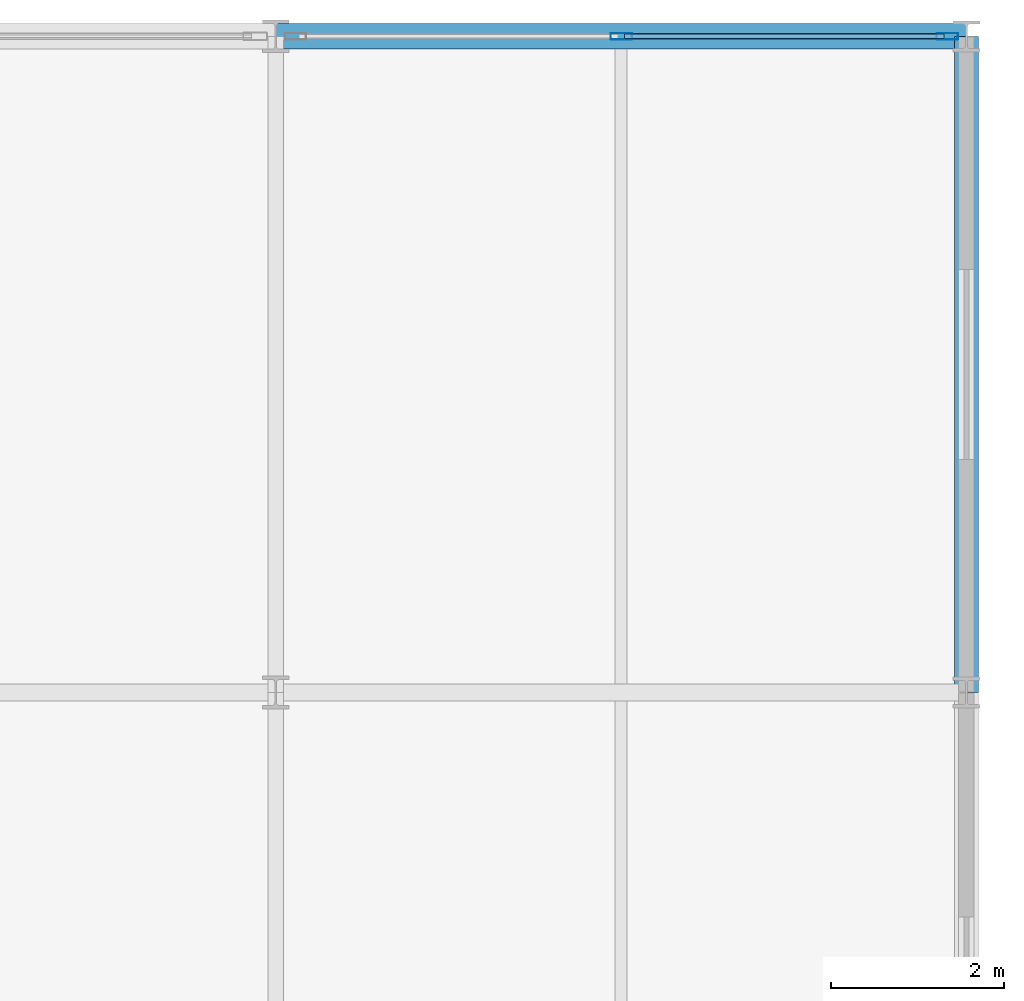
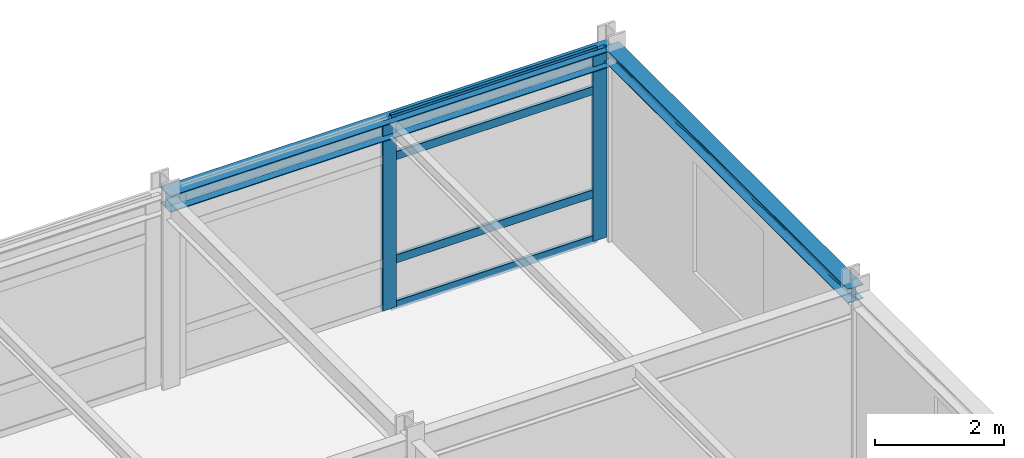
# One storey, part 9 of 15: 6 members, 2 beams, 1 element without a shape of its own.
"""IFC4 building model written with IfcOpenShell, lengths in metres."""

from ifc_helpers import new_model, si_unit, direction, frame, origin, origin_2d, place, context, subcontext, project, spatial, hollow_rectangle, i_section, extrude, material, layer, layer_set, material_profile, profile_set, type_object, element, aggregate, save


model = new_model("IFC4")

# Units and contexts
model_context = context("Model", 3, precision=1e-05, world=origin(), true_north=direction((0.0, 1.0)))
body_context = subcontext(model_context, "Body", "Model", "MODEL_VIEW")
ifc_project = project(units=[si_unit("LENGTHUNIT", "METRE"), si_unit("AREAUNIT", "SQUARE_METRE"), si_unit("VOLUMEUNIT", "CUBIC_METRE"), si_unit("PLANEANGLEUNIT", "RADIAN"), si_unit("MASSUNIT", "GRAM", prefix="KILO")], contexts=[model_context])

# Site, building, storey
site_placement = place(None, origin())
site = spatial("IfcSite", under=ifc_project, at=site_placement, CompositionType="ELEMENT")
building_placement = place(site_placement, origin())
building = spatial("IfcBuilding", under=site, at=building_placement, Name="Shalkamar Park Central Library", CompositionType="ELEMENT")
storey_placement = place(building_placement, frame((0.0, 0.0, 47.699951171875)))
storey = spatial("IfcBuildingStorey", under=building, at=storey_placement, Name="L12", CompositionType="ELEMENT", Elevation=47.699951171875)

# Curtain wall, members
ifc_material_1 = material(Name="Thermally broken aluminium and triple low-e curtain wall", Category="aluminium")
ifc_layer = layer(ifc_material_1, 0.25)
ifc_layer_set = layer_set([ifc_layer], Name="UnitisedCurtainWall_83")
curtain_wall_type = type_object("IfcCurtainWallType", Name="Unitised Curtain Wall 83", PredefinedType="USERDEFINED", material=ifc_layer_set)
curtain_wall_placement = place(storey_placement, origin())
curtain_wall = element("IfcCurtainWall", 1, at=curtain_wall_placement, inside=storey, type_object=curtain_wall_type, Name="Unitised Curtain Wall CW-L12-141", ObjectType="UNITISED CURTAIN WALL", PredefinedType="USERDEFINED")
ifc_material_2 = material(Name="Aluminium 6060-T66", Category="aluminium")
ifc_material_profile_1 = material_profile(ifc_material_2, hollow_rectangle(XDim=0.074951171875, YDim=0.25, WallThickness=0.00390625, InnerFilletRadius=0.00390625, OuterFilletRadius=0.006103515625, at=origin_2d()), Name="ALU 75x250x4")
ifc_profile_set_1 = profile_set([ifc_material_profile_1], Name="Aluminium 6060-T66")
member_type_1 = type_object("IfcMemberType", Name="Curtain Wall Mullion ALU75x250", PredefinedType="MULLION", material=ifc_profile_set_1)
member_1_placement = place(storey_placement, frame((217.00439453125, 285.60009765625, 0.0), z_axis=(0.0, 0.0, 1.0), x_axis=(0.0, 1.0, 0.0)))
member_1 = element("IfcMember", 2, at=member_1_placement, type_object=member_type_1, Name="CW-83 mullion 2", PredefinedType="MULLION", context=body_context, shape_type="SweptSolid", body=[
    extrude(hollow_rectangle(XDim=0.074951171875, YDim=0.25, WallThickness=0.00390625, InnerFilletRadius=0.00390625, OuterFilletRadius=0.006103515625, at=origin_2d()), origin(), (0.0, 0.0, 1.0), 3.610107421875),
])
member_2_placement = place(storey_placement, frame((220.779052734375, 285.60009765625, 0.0), z_axis=(0.0, 0.0, 1.0), x_axis=(0.0, 1.0, 0.0)))
member_2 = element("IfcMember", 3, at=member_2_placement, type_object=member_type_1, Name="CW-83 mullion 3", PredefinedType="MULLION", context=body_context, shape_type="SweptSolid", body=[
    extrude(hollow_rectangle(XDim=0.074951171875, YDim=0.25, WallThickness=0.00390625, InnerFilletRadius=0.00390625, OuterFilletRadius=0.006103515625, at=origin_2d()), origin(), (0.0, 0.0, 1.0), 3.610107421875),
])
ifc_material_profile_2 = material_profile(ifc_material_2, hollow_rectangle(XDim=0.06005859375, YDim=0.159912109375, WallThickness=0.00390625, InnerFilletRadius=0.00390625, OuterFilletRadius=0.006103515625, at=origin_2d()), Name="ALU 60x160x4")
ifc_profile_set_2 = profile_set([ifc_material_profile_2], Name="Aluminium 6060-T66")
member_type_2 = type_object("IfcMemberType", Name="Curtain Wall Transom ALU60x160", PredefinedType="USERDEFINED", material=ifc_profile_set_2)
member_3_placement = place(storey_placement, frame((217.0419921875, 285.60009765625, 0.030029296875), z_axis=(1.0, 0.0, 0.0), x_axis=(0.0, 1.0, 0.0)))
member_3 = element("IfcMember", 4, at=member_3_placement, type_object=member_type_2, Name="CW-83 transom 2.1", ObjectType="TRANSOM", PredefinedType="USERDEFINED", context=body_context, shape_type="SweptSolid", body=[
    extrude(hollow_rectangle(XDim=0.06005859375, YDim=0.159912109375, WallThickness=0.00390625, InnerFilletRadius=0.00390625, OuterFilletRadius=0.006103515625, at=origin_2d()), origin(), (0.0, 0.0, 1.0), 3.699462890625),
])
member_4_placement = place(storey_placement, frame((217.0419921875, 285.60009765625, 0.900146484375), z_axis=(1.0, 0.0, 0.0), x_axis=(0.0, 1.0, 0.0)))
member_4 = element("IfcMember", 5, at=member_4_placement, type_object=member_type_2, Name="CW-83 transom 2.2", ObjectType="TRANSOM", PredefinedType="USERDEFINED", context=body_context, shape_type="SweptSolid", body=[
    extrude(hollow_rectangle(XDim=0.06005859375, YDim=0.159912109375, WallThickness=0.00390625, InnerFilletRadius=0.00390625, OuterFilletRadius=0.006103515625, at=origin_2d()), origin(), (0.0, 0.0, 1.0), 3.699462890625),
])
member_5_placement = place(storey_placement, frame((217.0419921875, 285.60009765625, 2.860107421875), z_axis=(1.0, 0.0, 0.0), x_axis=(0.0, 1.0, 0.0)))
member_5 = element("IfcMember", 6, at=member_5_placement, type_object=member_type_2, Name="CW-83 transom 2.3", ObjectType="TRANSOM", PredefinedType="USERDEFINED", context=body_context, shape_type="SweptSolid", body=[
    extrude(hollow_rectangle(XDim=0.06005859375, YDim=0.159912109375, WallThickness=0.00390625, InnerFilletRadius=0.00390625, OuterFilletRadius=0.006103515625, at=origin_2d()), origin(), (0.0, 0.0, 1.0), 3.699462890625),
])
member_6_placement = place(storey_placement, frame((217.0419921875, 285.60009765625, 3.580078125), z_axis=(1.0, 0.0, 0.0), x_axis=(0.0, 1.0, 0.0)))
member_6 = element("IfcMember", 7, at=member_6_placement, type_object=member_type_2, Name="CW-83 transom 2.4", ObjectType="TRANSOM", PredefinedType="USERDEFINED", context=body_context, shape_type="SweptSolid", body=[
    extrude(hollow_rectangle(XDim=0.06005859375, YDim=0.159912109375, WallThickness=0.00390625, InnerFilletRadius=0.00390625, OuterFilletRadius=0.006103515625, at=origin_2d()), origin(), (0.0, 0.0, 1.0), 3.699462890625),
])
aggregate(curtain_wall, [member_1, member_2, member_3, member_4, member_5, member_6])

# Beams
ifc_material_3 = material(Name="Steel S355", Category="steel")
ifc_material_profile_3 = material_profile(ifc_material_3, i_section(OverallWidth=0.280029296875, OverallDepth=0.27001953125, WebThickness=0.008056640625, FlangeThickness=0.012939453125, FilletRadius=0.02392578125, at=origin_2d()), Name="HEA 280")
ifc_profile_set_3 = profile_set([ifc_material_profile_3], Name="Steel S355")
beam_type_1 = type_object("IfcBeamType", Name="Perimeter Spandrel Beam HEA280", PredefinedType="SPANDREL", material=ifc_profile_set_3)
beam_1_placement = place(storey_placement, frame((221.0, 278.0, 3.47509765625), z_axis=(0.0, 1.0, 0.0), x_axis=(-1.0, 0.0, 0.0)))
element("IfcBeam", 8, at=beam_1_placement, inside=storey, type_object=beam_type_1, Name="Beam 14:F-G (L12)", PredefinedType="SPANDREL", context=body_context, shape_type="SweptSolid", body=[
    extrude(i_section(OverallWidth=0.280029296875, OverallDepth=0.27001953125, WebThickness=0.008056640625, FlangeThickness=0.012939453125, FilletRadius=0.02392578125, at=origin_2d()), origin(), (0.0, 0.0, 1.0), 7.60009765625),
])
ifc_material_profile_4 = material_profile(ifc_material_3, i_section(OverallWidth=0.300048828125, OverallDepth=0.31005859375, WebThickness=0.009033203125, FlangeThickness=0.015380859375, FilletRadius=0.027099609375, at=origin_2d()), Name="HEA 320")
ifc_profile_set_4 = profile_set([ifc_material_profile_4], Name="Steel S355")
beam_type_2 = type_object("IfcBeamType", Name="Perimeter Spandrel Beam HEA320", PredefinedType="SPANDREL", material=ifc_profile_set_4)
beam_2_placement = place(storey_placement, frame((213.0, 285.60009765625, 3.455078125), z_axis=(1.0, 0.0, 0.0), x_axis=(0.0, 1.0, 0.0)))
element("IfcBeam", 9, at=beam_2_placement, inside=storey, type_object=beam_type_2, Name="Beam G:13-14 (L12)", PredefinedType="SPANDREL", context=body_context, shape_type="SweptSolid", body=[
    extrude(i_section(OverallWidth=0.300048828125, OverallDepth=0.31005859375, WebThickness=0.009033203125, FlangeThickness=0.015380859375, FilletRadius=0.027099609375, at=origin_2d()), origin(), (0.0, 0.0, 1.0), 8.0),
])

save(model, "model.ifc")
